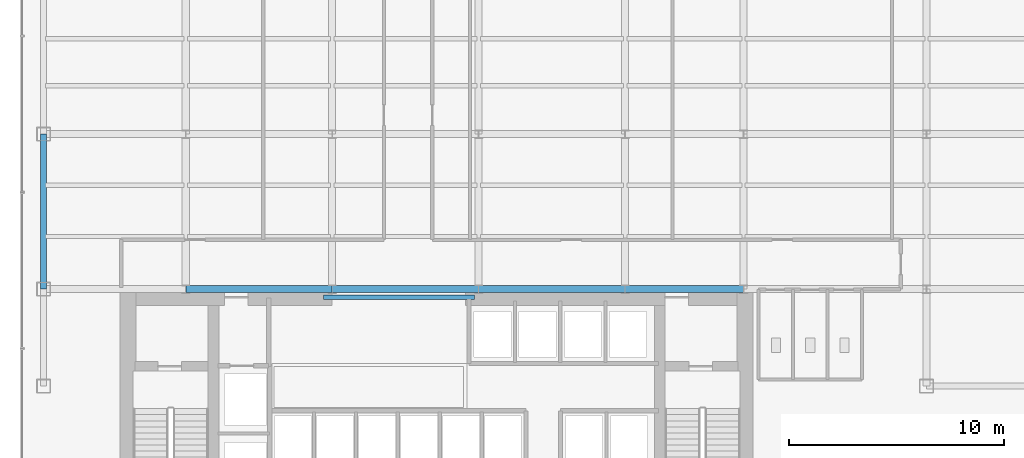
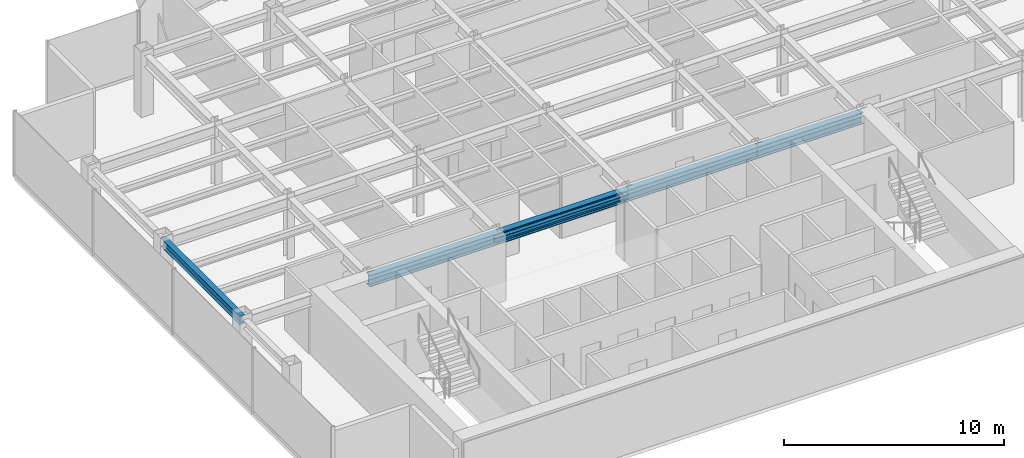
# One storey, part 4 of 25: 6 beams.
"""IFC4 building model written with IfcOpenShell, lengths in metres."""

from ifc_helpers import new_model, si_unit, derived_unit, direction, frame, origin, origin_2d, place, context, subcontext, project, spatial, i_section, extrude, source, transform, mapped, material, material_profile, profile_set, type_object, element, save


model = new_model("IFC4")

# Units and contexts
model_context = context("Model", 3, precision=1e-05, world=origin(), true_north=direction((0.0, 1.0)))
body_context = subcontext(model_context, "Body", "Model", "MODEL_VIEW")
ifc_project = project(units=[si_unit("LENGTHUNIT", "METRE"), si_unit("AREAUNIT", "SQUARE_METRE"), si_unit("VOLUMEUNIT", "CUBIC_METRE"), si_unit("PLANEANGLEUNIT", "RADIAN"), si_unit("MASSUNIT", "GRAM", prefix="KILO"), derived_unit("THERMALTRANSMITTANCEUNIT", [(si_unit("POWERUNIT", "WATT"), 1), (si_unit("LENGTHUNIT", "METRE"), -2), (si_unit("THERMODYNAMICTEMPERATUREUNIT", "KELVIN"), -1)])], contexts=[model_context])

# Site, building, storey
site_placement = place(None, origin())
site = spatial("IfcSite", under=ifc_project, at=site_placement, CompositionType="ELEMENT")
building_placement = place(site_placement, origin())
building = spatial("IfcBuilding", under=site, at=building_placement, Name="Skarnbrae Concourse Arena and Tower", CompositionType="ELEMENT")
storey_placement = place(building_placement, frame((0.0, 0.0, 144.25)))
storey = spatial("IfcBuildingStorey", under=building, at=storey_placement, Name="L36", CompositionType="ELEMENT", Elevation=144.25)

# Beams
ifc_material = material(Name="Steel CSA G40.21 350W", Category="steel")
ifc_material_profile_1 = material_profile(ifc_material, i_section(OverallWidth=0.202880859375, OverallDepth=0.251953125, WebThickness=0.008056640625, FlangeThickness=0.013427734375, at=origin_2d()), Name="W250X58")
ifc_profile_set_1 = profile_set([ifc_material_profile_1], Name="Steel CSA G40.21 350W")
beam_type_1 = type_object("IfcBeamType", Name="BM-LINTEL-W250X58", PredefinedType="LINTEL", material=ifc_profile_set_1)
shared_shape_1 = source(origin(), body_context, "Body", "SweptSolid", [
    extrude(i_section(OverallWidth=0.202880859375, OverallDepth=0.251953125, WebThickness=0.008056640625, FlangeThickness=0.013427734375, at=origin_2d()), origin(), (0.0, 0.0, 1.0), 7.0),
])
beam_1_placement = place(storey_placement, frame((14.0, 13.625, 3.27392578125), z_axis=(1.0, 0.0, 0.0), x_axis=(0.0, 1.0, 0.0)))
element("IfcBeam", 1, at=beam_1_placement, inside=storey, type_object=beam_type_1, Name="L36 Core portal coupling lintel", PredefinedType="LINTEL", context=body_context, shape_type="MappedRepresentation", body=[
    mapped(shared_shape_1, transform((0.0, 0.0, 0.0))),
])
ifc_material_profile_2 = material_profile(ifc_material, i_section(OverallWidth=0.3291015625, OverallDepth=0.635009765625, WebThickness=0.017822265625, FlangeThickness=0.031005859375, at=origin_2d()), Name="W610X241")
ifc_profile_set_2 = profile_set([ifc_material_profile_2], Name="Steel CSA G40.21 350W")
beam_type_2 = type_object("IfcBeamType", Name="BM-GIRD-W610X241", PredefinedType="BEAM", material=ifc_profile_set_2)
shared_shape_2 = source(origin(), body_context, "Body", "SweptSolid", [
    extrude(i_section(OverallWidth=0.3291015625, OverallDepth=0.635009765625, WebThickness=0.017822265625, FlangeThickness=0.031005859375, at=origin_2d()), origin(), (0.0, 0.0, 1.0), 6.7998046875),
])
beam_2_placement = place(storey_placement, frame((7.60009765625, 14.0, 3.08251953125), z_axis=(1.0, 0.0, 0.0), x_axis=(0.0, 1.0, 0.0)))
element("IfcBeam", 2, at=beam_2_placement, inside=storey, type_object=beam_type_2, Name="L36 Primary E-W girder Y14.0-2", PredefinedType="BEAM", context=body_context, shape_type="MappedRepresentation", body=[
    mapped(shared_shape_2, transform((0.0, 0.0, 0.0))),
])
shared_shape_3 = source(origin(), body_context, "Body", "SweptSolid", [
    extrude(i_section(OverallWidth=0.3291015625, OverallDepth=0.635009765625, WebThickness=0.017822265625, FlangeThickness=0.031005859375, at=origin_2d()), origin(), (0.0, 0.0, 1.0), 6.800048828125),
])
for number, where, z_axis, x_axis, name in (
    (3, (14.39990234375, 14.0, 3.08251953125), (1.0, 0.0, 0.0), (0.0, 1.0, 0.0), "L36 Primary E-W girder Y14.0-3"),
    (4, (21.199951171875, 14.0, 3.08251953125), (1.0, 0.0, 0.0), (0.0, 1.0, 0.0), "L36 Primary E-W girder Y14.0-4"),
):
    element("IfcBeam", number, at=place(storey_placement, frame(where, z_axis=z_axis, x_axis=x_axis)), inside=storey, type_object=beam_type_2, Name=name, PredefinedType="BEAM", context=body_context, shape_type="MappedRepresentation", body=[
        mapped(shared_shape_3, transform((0.0, 0.0, 0.0))),
    ])
shared_shape_4 = source(origin(), body_context, "Body", "SweptSolid", [
    extrude(i_section(OverallWidth=0.3291015625, OverallDepth=0.635009765625, WebThickness=0.017822265625, FlangeThickness=0.031005859375, at=origin_2d()), origin(), (0.0, 0.0, 1.0), 5.5),
])
beam_3_placement = place(storey_placement, frame((28.0, 14.0, 3.08251953125), z_axis=(1.0, 0.0, 0.0), x_axis=(0.0, 1.0, 0.0)))
element("IfcBeam", 5, at=beam_3_placement, inside=storey, type_object=beam_type_2, Name="L36 Primary E-W girder Y14.0-5", PredefinedType="BEAM", context=body_context, shape_type="MappedRepresentation", body=[
    mapped(shared_shape_4, transform((0.0, 0.0, 0.0))),
])
ifc_material_profile_3 = material_profile(ifc_material, i_section(OverallWidth=0.280029296875, OverallDepth=0.462890625, WebThickness=0.0107421875, FlangeThickness=0.017333984375, at=origin_2d()), Name="W460X113")
ifc_profile_set_3 = profile_set([ifc_material_profile_3], Name="Steel CSA G40.21 350W")
beam_type_3 = type_object("IfcBeamType", Name="BM-SPAN-W460X113", PredefinedType="SPANDREL", material=ifc_profile_set_3)
shared_shape_5 = source(origin(), body_context, "Body", "SweptSolid", [
    extrude(i_section(OverallWidth=0.280029296875, OverallDepth=0.462890625, WebThickness=0.0107421875, FlangeThickness=0.017333984375, at=origin_2d()), origin(), (0.0, 0.0, 1.0), 7.199951171875),
])
beam_4_placement = place(storey_placement, frame((1.0, 14.0, 3.16845703125), z_axis=(0.0, 1.0, 0.0), x_axis=(-1.0, 0.0, 0.0)))
element("IfcBeam", 6, at=beam_4_placement, inside=storey, type_object=beam_type_3, Name="L36 Perimeter spandrel X1.0-2", PredefinedType="SPANDREL", context=body_context, shape_type="MappedRepresentation", body=[
    mapped(shared_shape_5, transform((0.0, 0.0, 0.0))),
])

save(model, "model.ifc")
